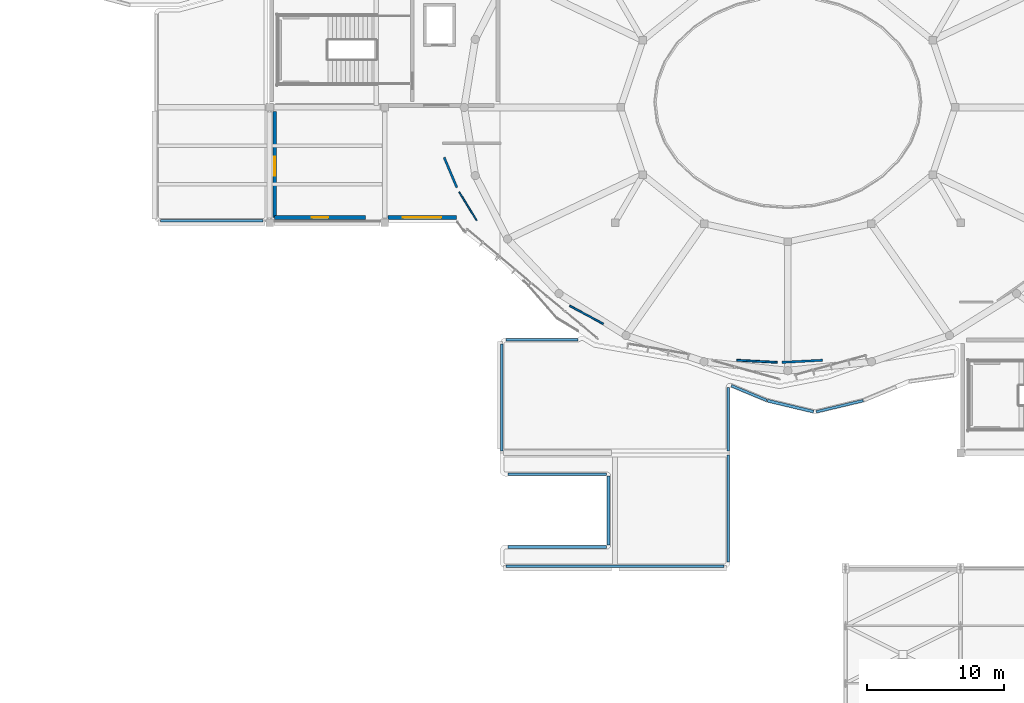
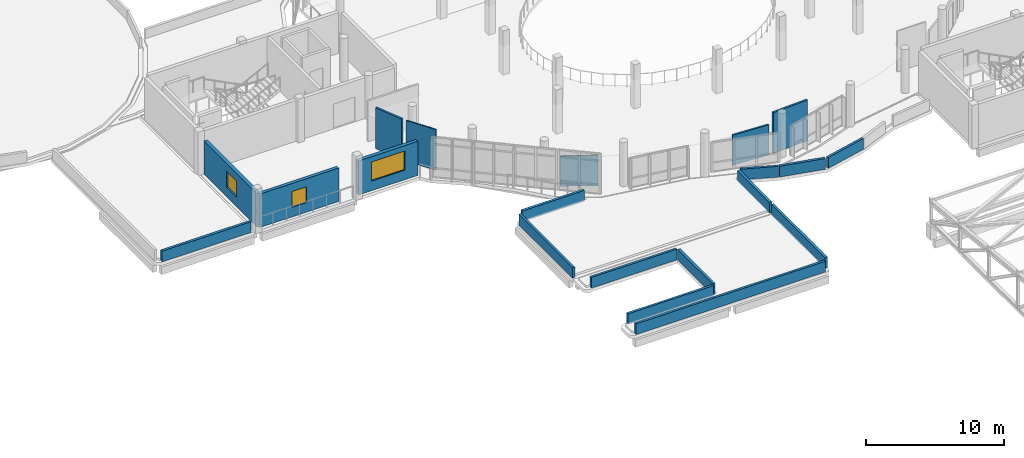
# One storey, part 58 of 74: 20 walls, 3 windows, 3 openings.
"""IFC4 building model written with IfcOpenShell, lengths in metres."""

from ifc_helpers import new_model, si_unit, derived_unit, direction, frame, frame_2d, origin, place, context, subcontext, project, spatial, rectangle, extrude, material, layer, layer_set, type_object, element, fill, save


model = new_model("IFC4")

# Units and contexts
model_context = context("Model", 3, precision=1e-05, world=origin(), true_north=direction((0.0, 1.0)))
body_context = subcontext(model_context, "Body", "Model", "MODEL_VIEW")
ifc_project = project(units=[si_unit("LENGTHUNIT", "METRE"), si_unit("AREAUNIT", "SQUARE_METRE"), si_unit("VOLUMEUNIT", "CUBIC_METRE"), si_unit("PLANEANGLEUNIT", "RADIAN"), si_unit("MASSUNIT", "GRAM", prefix="KILO"), derived_unit("THERMALTRANSMITTANCEUNIT", [(si_unit("POWERUNIT", "WATT"), 1), (si_unit("LENGTHUNIT", "METRE"), -2), (si_unit("THERMODYNAMICTEMPERATUREUNIT", "KELVIN"), -1)])], contexts=[model_context])

# Site, building, storey
site_placement = place(None, origin())
site = spatial("IfcSite", under=ifc_project, at=site_placement, CompositionType="ELEMENT")
building_placement = place(site_placement, origin())
building = spatial("IfcBuilding", under=site, at=building_placement, Name="Elbkamm Science Centre", CompositionType="ELEMENT")
storey_placement = place(building_placement, frame((0.0, 0.0, 14.39990234375)))
storey = spatial("IfcBuildingStorey", under=building, at=storey_placement, Name="L03", CompositionType="ELEMENT", Elevation=14.39990234375)

# Wall, opening, window
ifc_material_1 = material(Name="White precast concrete C40/50", Category="concrete")
ifc_layer_1 = layer(ifc_material_1, 0.27001953125)
ifc_layer_set_1 = layer_set([ifc_layer_1], Name="White precast concrete C40/50")
wall_type_1 = type_object("IfcWallType", Name="WL-EXT-270", PredefinedType="SOLIDWALL", material=ifc_layer_set_1)
wall_1_placement = place(storey_placement, frame((32.20361328125, 59.179931640625, 0.0), z_axis=(0.0, 0.0, 1.0), x_axis=(-1.0, 0.0, 0.0)))
wall_1 = element("IfcWall", 1, at=wall_1_placement, inside=storey, type_object=wall_type_1, Name="L03 Exterior Wall 0291", PredefinedType="SOLIDWALL", context=body_context, shape_type="SweptSolid", body=[
    extrude(rectangle(XDim=6.62353515625, YDim=0.27001953125, at=frame_2d((3.311767578125, 0.0))), origin(), (0.0, 0.0, 1.0), 2.97021484375),
])
opening_1_placement = place(wall_1_placement, frame((2.711669921875, 0.0, 0.85009765625)))
opening_1 = element("IfcOpeningElement", 2, at=opening_1_placement, cuts=wall_1, Name="Opening W-01", PredefinedType="OPENING", context=body_context, shape_type="SweptSolid", body=[
    extrude(rectangle(XDim=1.199951171875, YDim=1.39990234375, at=frame_2d((0.60009765625, 0.699951171875))), frame((0.0, 0.14697265625, 0.0), z_axis=(0.0, -1.0, 0.0), x_axis=(1.0, 0.0, 0.0)), (0.0, 0.0, 1.0), 0.2939453125),
])
ifc_material_2 = material(Name="Thermally broken aluminium and triple solar glass", Category="aluminium")
ifc_layer_2 = layer(ifc_material_2, 0.06005859375)
ifc_layer_set_2 = layer_set([ifc_layer_2], Name="Thermally broken aluminium and triple solar glass")
window_type_1 = type_object("IfcWindowType", Name="WIN-1200x1400", PartitioningType="SINGLE_PANEL", PredefinedType="WINDOW", material=ifc_layer_set_2)
window_1_placement = place(opening_1_placement, origin())
window_1 = element("IfcWindow", 3, at=window_1_placement, inside=storey, type_object=window_type_1, Name="L03 Facade Window 0080", OverallHeight=1.39990234375, OverallWidth=1.199951171875, PartitioningType="SINGLE_PANEL", PredefinedType="WINDOW", context=body_context, shape_type="SweptSolid", body=[
    extrude(rectangle(XDim=1.199951171875, YDim=1.39990234375, at=frame_2d((0.60009765625, 0.699951171875))), frame((0.0, 0.030029296875, 0.0), z_axis=(0.0, -1.0, 0.0), x_axis=(1.0, 0.0, 0.0)), (0.0, 0.0, 1.0), 0.06005859375),
])
fill(opening_1, window_1)

ifc_layer_3 = layer(ifc_material_1, 0.2900390625)
ifc_layer_set_3 = layer_set([ifc_layer_3], Name="White precast concrete C40/50")
wall_type_2 = type_object("IfcWallType", Name="WL-EXT-290", PredefinedType="SOLIDWALL", material=ifc_layer_set_3)
wall_2_placement = place(storey_placement, frame((38.826904296875, 59.179931640625, 0.0), z_axis=(0.0, 0.0, 1.0), x_axis=(-1.0, 0.0, 0.0)))
wall_2 = element("IfcWall", 4, at=wall_2_placement, inside=storey, type_object=wall_type_2, Name="L03 Exterior Wall 0290", PredefinedType="SOLIDWALL", context=body_context, shape_type="SweptSolid", body=[
    extrude(rectangle(XDim=4.98779296875, YDim=0.2900390625, at=frame_2d((2.493896484375, 0.0))), origin(), (0.0, 0.0, 1.0), 3.02001953125),
])
opening_2_placement = place(wall_2_placement, frame((1.093994140625, 0.0, 0.85009765625)))
opening_2 = element("IfcOpeningElement", 5, at=opening_2_placement, cuts=wall_2, Name="Opening W-20", PredefinedType="OPENING", context=body_context, shape_type="SweptSolid", body=[
    extrude(rectangle(XDim=2.800048828125, YDim=1.699951171875, at=frame_2d((1.39990234375, 0.85009765625))), frame((0.0, 0.156982421875, 0.0), z_axis=(0.0, -1.0, 0.0), x_axis=(1.0, 0.0, 0.0)), (0.0, 0.0, 1.0), 0.31396484375),
])
ifc_layer_4 = layer(ifc_material_2, 0.06005859375)
ifc_layer_set_4 = layer_set([ifc_layer_4], Name="Thermally broken aluminium and triple solar glass")
window_type_2 = type_object("IfcWindowType", Name="WIN-2800x1700", PartitioningType="DOUBLE_PANEL_VERTICAL", PredefinedType="WINDOW", material=ifc_layer_set_4)
window_2_placement = place(opening_2_placement, origin())
window_2 = element("IfcWindow", 6, at=window_2_placement, inside=storey, type_object=window_type_2, Name="L03 Facade Window 0079", OverallHeight=1.699951171875, OverallWidth=2.800048828125, PartitioningType="SINGLE_PANEL", PredefinedType="WINDOW", context=body_context, shape_type="SweptSolid", body=[
    extrude(rectangle(XDim=2.800048828125, YDim=1.699951171875, at=frame_2d((1.39990234375, 0.85009765625))), frame((0.0, 0.030029296875, 0.0), z_axis=(0.0, -1.0, 0.0), x_axis=(1.0, 0.0, 0.0)), (0.0, 0.0, 1.0), 0.06005859375),
])
fill(opening_2, window_2)

wall_3_placement = place(storey_placement, frame((25.580078125, 59.179931640625, 0.0), z_axis=(0.0, 0.0, 1.0), x_axis=(0.0, 1.0, 0.0)))
wall_3 = element("IfcWall", 7, at=wall_3_placement, inside=storey, type_object=wall_type_2, Name="L03 Exterior Wall 0292", PredefinedType="SOLIDWALL", context=body_context, shape_type="SweptSolid", body=[
    extrude(rectangle(XDim=7.7431640625, YDim=0.2900390625, at=frame_2d((3.87158203125, 0.0))), origin(), (0.0, 0.0, 1.0), 2.97021484375),
])
opening_3_placement = place(wall_3_placement, frame((3.034912109375, 0.0, 0.85009765625)))
opening_3 = element("IfcOpeningElement", 8, at=opening_3_placement, cuts=wall_3, Name="Opening W-02", PredefinedType="OPENING", context=body_context, shape_type="SweptSolid", body=[
    extrude(rectangle(XDim=1.39990234375, YDim=1.39990234375, at=frame_2d((0.699951171875, 0.699951171875))), frame((0.0, 0.156982421875, 0.0), z_axis=(0.0, -1.0, 0.0), x_axis=(1.0, 0.0, 0.0)), (0.0, 0.0, 1.0), 0.31396484375),
])
ifc_layer_5 = layer(ifc_material_2, 0.06005859375)
ifc_layer_set_5 = layer_set([ifc_layer_5], Name="Thermally broken aluminium and triple solar glass")
window_type_3 = type_object("IfcWindowType", Name="WIN-1400x1400", PartitioningType="SINGLE_PANEL", PredefinedType="WINDOW", material=ifc_layer_set_5)
window_3_placement = place(opening_3_placement, origin())
window_3 = element("IfcWindow", 9, at=window_3_placement, inside=storey, type_object=window_type_3, Name="L03 Facade Window 0081", OverallHeight=1.39990234375, OverallWidth=1.39990234375, PartitioningType="SINGLE_PANEL", PredefinedType="WINDOW", context=body_context, shape_type="SweptSolid", body=[
    extrude(rectangle(XDim=1.39990234375, YDim=1.39990234375, at=frame_2d((0.699951171875, 0.699951171875))), frame((0.0, 0.030029296875, 0.0), z_axis=(0.0, -1.0, 0.0), x_axis=(1.0, 0.0, 0.0)), (0.0, 0.0, 1.0), 0.06005859375),
])
fill(opening_3, window_3)

# Walls
ifc_layer_6 = layer(ifc_material_1, 0.18994140625)
ifc_layer_set_6 = layer_set([ifc_layer_6], Name="White precast concrete C40/50")
wall_type_3 = type_object("IfcWallType", Name="WL-PAR-190", PredefinedType="PARAPET", material=ifc_layer_set_6)
for number, where, z_axis, x_axis, name in (
    (10, (42.60009765625, 35.139892578125, 0.0), (0.0, 0.0, 1.0), (1.0, 0.0, 0.0), "L03 Roof Parapet Wall 045"),
    (11, (49.780029296875, 40.4599609375, 0.0), (0.0, 0.0, 1.0), (-1.0, 0.0, 0.0), "L03 Roof Parapet Wall 047"),
):
    element("IfcWall", number, at=place(storey_placement, frame(where, z_axis=z_axis, x_axis=x_axis)), inside=storey, type_object=wall_type_3, Name=name, PredefinedType="PARAPET", context=body_context, shape_type="SweptSolid", body=[
        extrude(rectangle(XDim=7.179931640625, YDim=0.18994140625, at=frame_2d((3.58984375, 0.0))), origin(), (0.0, 0.0, 1.0), 0.9501953125),
    ])
wall_4_placement = place(storey_placement, frame((58.346435546875, 33.739990234375, 0.0), z_axis=(0.0, 0.0, 1.0), x_axis=(-1.0, 0.0, 0.0)))
element("IfcWall", 12, at=wall_4_placement, inside=storey, type_object=wall_type_3, Name="L03 Roof Parapet Wall 049", PredefinedType="PARAPET", context=body_context, shape_type="SweptSolid", body=[
    extrude(rectangle(XDim=15.892822265625, YDim=0.18994140625, at=frame_2d((7.9462890625, 0.0))), origin(), (0.0, 0.0, 1.0), 0.9501953125),
])
wall_5_placement = place(storey_placement, frame((68.492919921875, 45.81689453125, 0.0), z_axis=(0.0, 0.0, 1.0), x_axis=(-0.972729369158, -0.231943041235, 0.0)))
element("IfcWall", 13, at=wall_5_placement, inside=storey, type_object=wall_type_3, Name="L03 Roof Parapet Wall 053", PredefinedType="PARAPET", context=body_context, shape_type="SweptSolid", body=[
    extrude(rectangle(XDim=3.513427734375, YDim=0.18994140625, at=frame_2d((1.7568359375, 0.0))), origin(), (0.0, 0.0, 1.0), 0.9501953125),
])
wall_6_placement = place(storey_placement, frame((61.45458984375, 45.833984375, 0.0), z_axis=(0.0, 0.0, 1.0), x_axis=(-0.923126060064, 0.384497434621, 0.0)))
element("IfcWall", 14, at=wall_6_placement, inside=storey, type_object=wall_type_3, Name="L03 Roof Parapet Wall 055", PredefinedType="PARAPET", context=body_context, shape_type="SweptSolid", body=[
    extrude(rectangle(XDim=2.79248046875, YDim=0.18994140625, at=frame_2d((1.396240234375, 0.0))), origin(), (0.0, 0.0, 1.0), 0.9501953125),
])
wall_7_placement = place(storey_placement, frame((42.139892578125, 42.139892578125, 0.0), z_axis=(0.0, 0.0, 1.0), x_axis=(0.0, 1.0, 0.0)))
element("IfcWall", 15, at=wall_7_placement, inside=storey, type_object=wall_type_3, Name="L03 Roof Parapet Wall 057", PredefinedType="PARAPET", context=body_context, shape_type="SweptSolid", body=[
    extrude(rectangle(XDim=7.806640625, YDim=0.18994140625, at=frame_2d((3.9033203125, 0.0))), origin(), (0.0, 0.0, 1.0), 0.9501953125),
])
ifc_layer_7 = layer(ifc_material_1, 0.2099609375)
ifc_layer_set_7 = layer_set([ifc_layer_7], Name="White precast concrete C40/50")
wall_type_4 = type_object("IfcWallType", Name="WL-PAR-210", PredefinedType="PARAPET", material=ifc_layer_set_7)
wall_8_placement = place(storey_placement, frame((24.716552734375, 58.93994140625, 0.0), z_axis=(0.0, 0.0, 1.0), x_axis=(-1.0, 0.0, 0.0)))
element("IfcWall", 16, at=wall_8_placement, inside=storey, type_object=wall_type_4, Name="L03 Roof Parapet Wall 042", PredefinedType="PARAPET", context=body_context, shape_type="SweptSolid", body=[
    extrude(rectangle(XDim=7.463134765625, YDim=0.2099609375, at=frame_2d((3.7314453125, 0.0))), origin(), (0.0, 0.0, 1.0), 0.9501953125),
])
wall_9_placement = place(storey_placement, frame((49.919921875, 35.280029296875, 0.0), z_axis=(0.0, 0.0, 1.0), x_axis=(0.0, 1.0, 0.0)))
element("IfcWall", 17, at=wall_9_placement, inside=storey, type_object=wall_type_4, Name="L03 Roof Parapet Wall 046", PredefinedType="PARAPET", context=body_context, shape_type="SweptSolid", body=[
    extrude(rectangle(XDim=5.0400390625, YDim=0.2099609375, at=frame_2d((2.52001953125, 0.0))), origin(), (0.0, 0.0, 1.0), 0.9501953125),
])
wall_10_placement = place(storey_placement, frame((58.659912109375, 41.860107421875, 0.0), z_axis=(0.0, 0.0, 1.0), x_axis=(0.0, -1.0, 0.0)))
element("IfcWall", 18, at=wall_10_placement, inside=storey, type_object=wall_type_4, Name="L03 Roof Parapet Wall 048", PredefinedType="PARAPET", context=body_context, shape_type="SweptSolid", body=[
    extrude(rectangle(XDim=7.806640625, YDim=0.2099609375, at=frame_2d((3.9033203125, 0.0))), origin(), (0.0, 0.0, 1.0), 0.9501953125),
])
wall_11_placement = place(storey_placement, frame((42.45361328125, 50.260009765625, 0.0), z_axis=(0.0, 0.0, 1.0), x_axis=(1.0, 0.0, 0.0)))
element("IfcWall", 19, at=wall_11_placement, inside=storey, type_object=wall_type_4, Name="L03 Roof Parapet Wall 050", PredefinedType="PARAPET", context=body_context, shape_type="SweptSolid", body=[
    extrude(rectangle(XDim=5.23388671875, YDim=0.2099609375, at=frame_2d((2.616943359375, 0.0))), origin(), (0.0, 0.0, 1.0), 0.9501953125),
])
wall_12_placement = place(storey_placement, frame((64.872802734375, 45.01416015625, 0.0), z_axis=(0.0, 0.0, 1.0), x_axis=(-0.972716808852, 0.231995710685, 0.0)))
element("IfcWall", 20, at=wall_12_placement, inside=storey, type_object=wall_type_4, Name="L03 Roof Parapet Wall 054", PredefinedType="PARAPET", context=body_context, shape_type="SweptSolid", body=[
    extrude(rectangle(XDim=3.460205078125, YDim=0.2099609375, at=frame_2d((1.72998046875, 0.0))), origin(), (0.0, 0.0, 1.0), 0.9501953125),
])
wall_13_placement = place(storey_placement, frame((58.659912109375, 46.7880859375, 0.0), z_axis=(0.0, 0.0, 1.0), x_axis=(0.0, -1.0, 0.0)))
element("IfcWall", 21, at=wall_13_placement, inside=storey, type_object=wall_type_4, Name="L03 Roof Parapet Wall 056", PredefinedType="PARAPET", context=body_context, shape_type="SweptSolid", body=[
    extrude(rectangle(XDim=4.648193359375, YDim=0.2099609375, at=frame_2d((2.32421875, 0.0))), origin(), (0.0, 0.0, 1.0), 0.9501953125),
])
ifc_material_3 = material(Name="Drywall service partition", Category="gypsum")
ifc_layer_8 = layer(ifc_material_3, 0.10009765625)
ifc_layer_set_8 = layer_set([ifc_layer_8], Name="Drywall service partition")
wall_type_5 = type_object("IfcWallType", Name="WL-PART-100", PredefinedType="PARTITIONING", material=ifc_layer_set_8)
wall_14_placement = place(storey_placement, frame((40.308837890625, 58.953369140625, 0.0), z_axis=(0.0, 0.0, 1.0), x_axis=(-0.523296062737, 0.852150943627, 0.0)))
element("IfcWall", 22, at=wall_14_placement, inside=storey, type_object=wall_type_5, Name="L03 Wave and Physics Exhibition Hall Partition 0211", PredefinedType="PARTITIONING", context=body_context, shape_type="SweptSolid", body=[
    extrude(rectangle(XDim=2.448486328125, YDim=0.10009765625, at=frame_2d((1.22412109375, 0.0))), origin(), (0.0, 0.0, 1.0), 3.6201171875),
])
ifc_material_4 = material(Name="Lightweight metal-stud gypsum partition", Category="gypsum")
ifc_layer_9 = layer(ifc_material_4, 0.125)
ifc_layer_set_9 = layer_set([ifc_layer_9], Name="Lightweight metal-stud gypsum partition")
wall_type_6 = type_object("IfcWallType", Name="WL-PART-125", PredefinedType="PARTITIONING", material=ifc_layer_set_9)
wall_15_placement = place(storey_placement, frame((49.54150390625, 51.418212890625, 0.0), z_axis=(0.0, 0.0, 1.0), x_axis=(-0.881139706285, 0.472856022492, 0.0)))
element("IfcWall", 23, at=wall_15_placement, inside=storey, type_object=wall_type_6, Name="L03 Wave and Physics Exhibition Hall Partition 0210", PredefinedType="PARTITIONING", context=body_context, shape_type="SweptSolid", body=[
    extrude(rectangle(XDim=2.775146484375, YDim=0.125, at=frame_2d((1.3876953125, 0.0))), origin(), (0.0, 0.0, 1.0), 2.670166015625),
])
ifc_material_5 = material(Name="Acoustic metal-stud gypsum partition", Category="gypsum")
ifc_layer_10 = layer(ifc_material_5, 0.139892578125)
ifc_layer_set_10 = layer_set([ifc_layer_10], Name="Acoustic metal-stud gypsum partition")
wall_type_7 = type_object("IfcWallType", Name="WL-PART-140", PredefinedType="PARTITIONING", material=ifc_layer_set_10)
wall_16_placement = place(storey_placement, frame((62.22021484375, 48.609619140625, 0.0), z_axis=(0.0, 0.0, 1.0), x_axis=(-0.998623065008, 0.052459260704, 0.0)))
element("IfcWall", 24, at=wall_16_placement, inside=storey, type_object=wall_type_7, Name="L03 Wave and Physics Exhibition Hall Partition 0209", PredefinedType="PARTITIONING", context=body_context, shape_type="SweptSolid", body=[
    extrude(rectangle(XDim=2.9599609375, YDim=0.139892578125, at=frame_2d((1.47998046875, 0.0))), origin(), (0.0, 0.0, 1.0), 2.670166015625),
])
ifc_layer_11 = layer(ifc_material_5, 0.159912109375)
ifc_layer_set_11 = layer_set([ifc_layer_11], Name="Acoustic metal-stud gypsum partition")
wall_type_8 = type_object("IfcWallType", Name="WL-PART-160", PredefinedType="PARTITIONING", material=ifc_layer_set_11)
wall_17_placement = place(storey_placement, frame((65.53564453125, 48.764892578125, 0.0), z_axis=(0.0, 0.0, 1.0), x_axis=(-0.998623065008, -0.052459260704, 0.0)))
element("IfcWall", 25, at=wall_17_placement, inside=storey, type_object=wall_type_8, Name="L03 Wave and Physics Exhibition Hall Partition 0208", PredefinedType="PARTITIONING", context=body_context, shape_type="SweptSolid", body=[
    extrude(rectangle(XDim=2.9599609375, YDim=0.159912109375, at=frame_2d((1.47998046875, 0.0))), origin(), (0.0, 0.0, 1.0), 3.6201171875),
])
wall_18_placement = place(storey_placement, frame((38.86328125, 61.359130859375, 0.0), z_axis=(0.0, 0.0, 1.0), x_axis=(-0.389302413276, 0.921109999412, 0.0)))
element("IfcWall", 26, at=wall_18_placement, inside=storey, type_object=wall_type_8, Name="L03 Wave and Physics Exhibition Hall Partition 0212", PredefinedType="PARTITIONING", context=body_context, shape_type="SweptSolid", body=[
    extrude(rectangle(XDim=2.383056640625, YDim=0.159912109375, at=frame_2d((1.19140625, 0.0))), origin(), (0.0, 0.0, 1.0), 3.6201171875),
])

save(model, "model.ifc")
